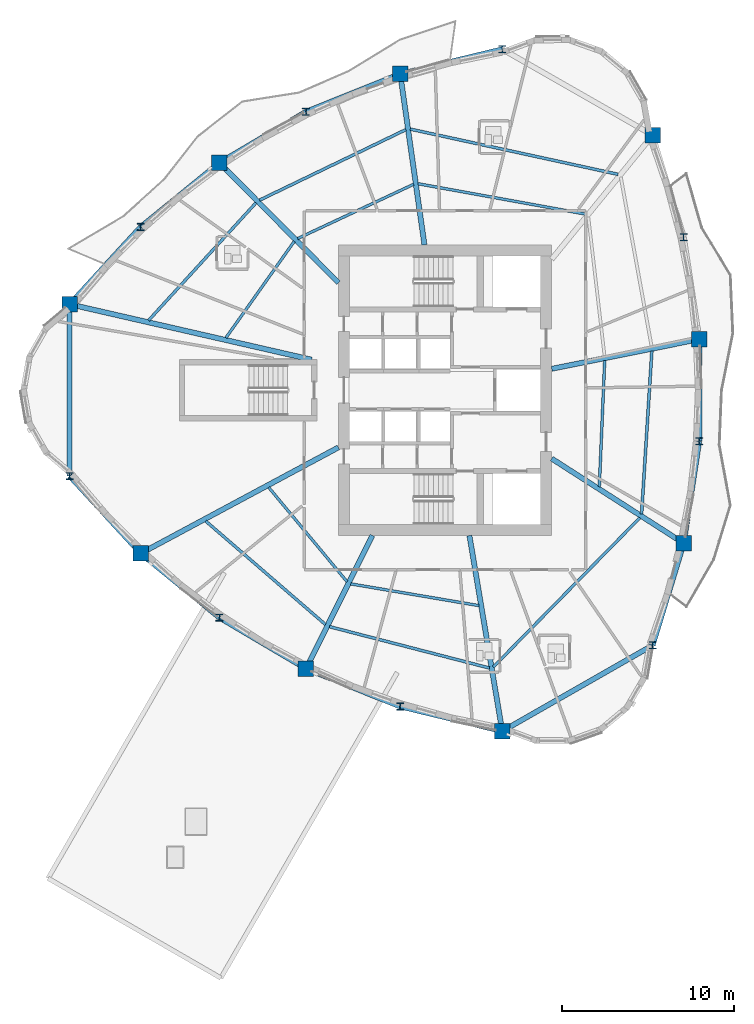
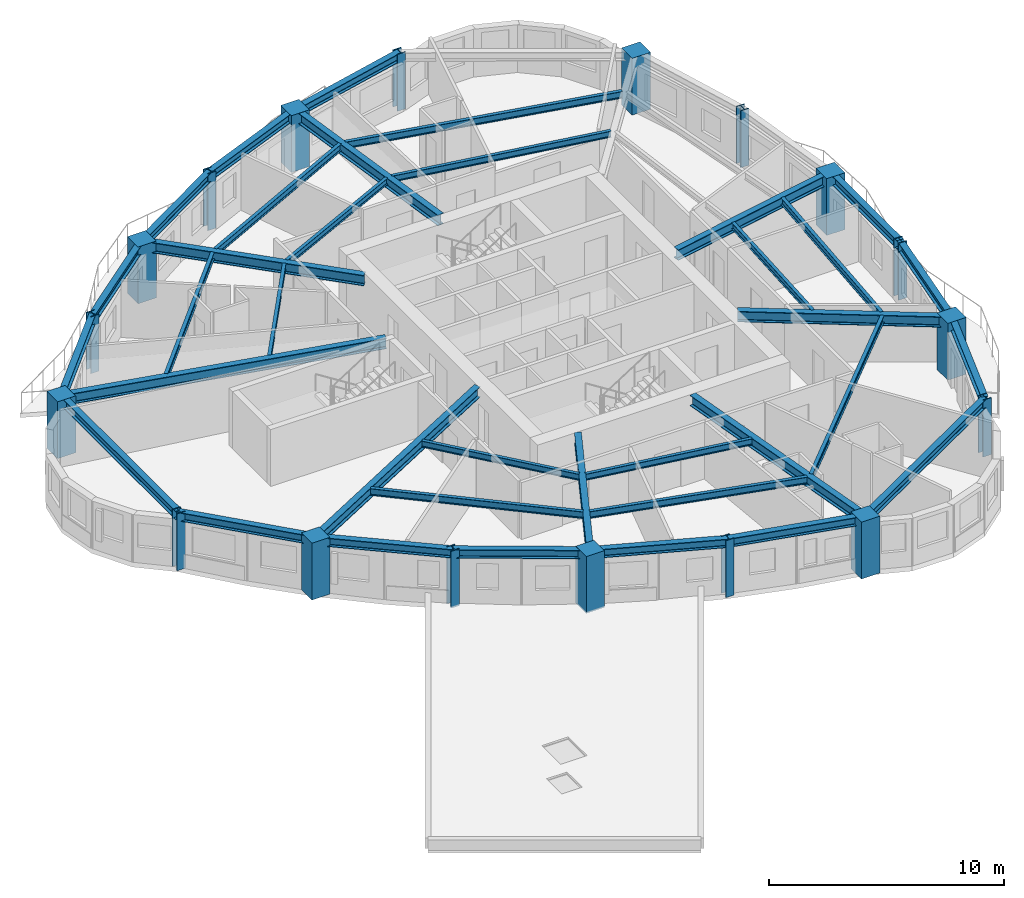
# One storey, part 1 of 14: 36 beams, 18 columns.
"""IFC4 building model written with IfcOpenShell, lengths in metres."""

import ifcopenshell
import ifcopenshell.guid

model = None  # the IFC model being written
_history = None  # IfcOwnerHistory: only IFC2X3 demands one
_inside = {}  # id of a spatial element -> (the spatial element, [elements in it])
_under = {}  # id of a project, library or spatial element -> (it, [spatial elements below it])
_declared = {}  # id of a project -> (the project, [libraries it declares])
_typed = {}  # id of a type object -> (the type object, [elements of that type])
_made_of = {}  # id of a material, layer set ... -> (it, [elements and type objects made of it])


def new_model(schema):
    """Start an empty IFC model of exactly this schema.

    Asked for "IFC4X3", IfcOpenShell would pick the latest addendum, in which some entities
    have other attributes; the version numbers below select the first issue.
    IFC2X3 requires an IfcOwnerHistory on every rooted entity: one is made here for all.
    """
    global model, _history
    if schema == "IFC4X3":
        model = ifcopenshell.file(schema_version=(4, 3, 0, 0))
    else:
        model = ifcopenshell.file(schema=schema)
    _inside.clear()
    _under.clear()
    _declared.clear()
    _typed.clear()
    _made_of.clear()
    _history = None
    if model.schema == "IFC2X3":
        org = make("IfcOrganization", Name="unknown")
        user = make(
            "IfcPersonAndOrganization",
            ThePerson=make("IfcPerson", FamilyName="unknown"),
            TheOrganization=org,
        )
        app = make(
            "IfcApplication",
            ApplicationDeveloper=org,
            Version="unknown",
            ApplicationFullName="unknown",
            ApplicationIdentifier="unknown",
        )
        _history = make(
            "IfcOwnerHistory",
            OwningUser=user,
            OwningApplication=app,
            ChangeAction="ADDED",
            CreationDate=0,
        )
    return model


def make(cls, **values):
    """One entity of the class cls with the attributes given. An attribute that is None is left unset."""
    return model.create_entity(
        cls, **{name: value for name, value in values.items() if value is not None}
    )


def rooted(cls, **values):
    """An entity with a GlobalId (a new one), such as an element, a storey or a relation."""
    return make(cls, GlobalId=ifcopenshell.guid.new(), OwnerHistory=_history, **values)


def si_unit(unit_type, name, prefix=None):
    """IfcSIUnit, for example si_unit("LENGTHUNIT", "METRE", prefix="MILLI")."""
    return make("IfcSIUnit", UnitType=unit_type, Prefix=prefix, Name=name)


def assignment(units):
    """IfcUnitAssignment: the units of a project."""
    return None if units is None else make("IfcUnitAssignment", Units=units)


def point(xyz):
    """IfcCartesianPoint."""
    return None if xyz is None else make("IfcCartesianPoint", Coordinates=xyz)


def direction(xyz):
    """IfcDirection."""
    return None if xyz is None else make("IfcDirection", DirectionRatios=xyz)


def frame(location, z_axis=None, x_axis=None):
    """IfcAxis2Placement3D, a coordinate frame: its origin and axes. An axis left out is left unset."""
    return make(
        "IfcAxis2Placement3D",
        Location=point(location),
        Axis=direction(z_axis),
        RefDirection=direction(x_axis),
    )


def frame_2d(location, x_axis=None):
    """IfcAxis2Placement2D, a coordinate frame in the plane: its origin and x axis."""
    return make(
        "IfcAxis2Placement2D", Location=point(location), RefDirection=direction(x_axis)
    )


def origin():
    """The frame at (0, 0, 0) with its axes left unset."""
    return frame((0.0, 0.0, 0.0))


def origin_2d():
    """The frame at (0, 0) in the plane with its x axis left unset."""
    return frame_2d((0.0, 0.0))


def place(relative_to, where):
    """IfcLocalPlacement: puts the frame where relative to a parent placement (None: the world)."""
    return make(
        "IfcLocalPlacement", PlacementRelTo=relative_to, RelativePlacement=where
    )


def context(
    kind, dimensions, precision=None, world=None, true_north=None, identifier=None
):
    """IfcGeometricRepresentationContext, for example the 3D "Model" context."""
    return make(
        "IfcGeometricRepresentationContext",
        ContextIdentifier=identifier,
        ContextType=kind,
        CoordinateSpaceDimension=dimensions,
        Precision=precision,
        WorldCoordinateSystem=world,
        TrueNorth=true_north,
    )


def subcontext(parent, identifier, kind, view, scale=None):
    """IfcGeometricRepresentationSubContext, for example "Body" below "Model"."""
    return make(
        "IfcGeometricRepresentationSubContext",
        ContextIdentifier=identifier,
        ContextType=kind,
        ParentContext=parent,
        TargetScale=scale,
        TargetView=view,
    )


def project(units=None, contexts=None):
    """IfcProject with its units and contexts."""
    return rooted(
        "IfcProject",
        Name="project",
        RepresentationContexts=contexts,
        UnitsInContext=assignment(units),
    )


def spatial(cls, under=None, at=None, **own):
    """A site, building, storey or space (cls), placed at a placement, below another one or the project."""
    s = rooted(cls, ObjectPlacement=at, **own)
    if under is not None:
        _under.setdefault(under.id(), (under, []))[1].append(s)
    return s


def profile(cls, at=None, kind="AREA", **sizes):
    """A parametric profile (cls). Its sizes go by their IFC names, for example OverallWidth=200.0."""
    return make(cls, ProfileType=kind, Position=at, **sizes)


def rectangle(**sizes):
    """IfcRectangleProfileDef."""
    return profile("IfcRectangleProfileDef", **sizes)


def i_section(**sizes):
    """IfcIShapeProfileDef."""
    return profile("IfcIShapeProfileDef", **sizes)


def extrude(swept, where, along, depth):
    """IfcExtrudedAreaSolid: the profile swept, set in the frame where, extruded along a direction by depth."""
    return make(
        "IfcExtrudedAreaSolid",
        SweptArea=swept,
        Position=where,
        ExtrudedDirection=direction(along),
        Depth=depth,
    )


def shape(context_of_items, identifier, shape_type, items):
    """IfcShapeRepresentation: the items that make up one representation, for example the "Body"."""
    return make(
        "IfcShapeRepresentation",
        ContextOfItems=context_of_items,
        RepresentationIdentifier=identifier,
        RepresentationType=shape_type,
        Items=items,
    )


def source(mapping_origin, context_of_items, identifier, shape_type, items):
    """IfcRepresentationMap: a shape defined once, which mapped items show again and again."""
    return make(
        "IfcRepresentationMap",
        MappingOrigin=mapping_origin,
        MappedRepresentation=shape(context_of_items, identifier, shape_type, items),
    )


def transform(
    local_origin,
    x_axis=None,
    y_axis=None,
    z_axis=None,
    scale=None,
    scale2=None,
    scale3=None,
    uniform=True,
):
    """IfcCartesianTransformationOperator3D, or its non-uniform kind. x_axis, y_axis, z_axis: its Axis1, 2, 3."""
    if uniform:
        return make(
            "IfcCartesianTransformationOperator3D",
            Axis1=direction(x_axis),
            Axis2=direction(y_axis),
            LocalOrigin=point(local_origin),
            Scale=scale,
            Axis3=direction(z_axis),
        )
    return make(
        "IfcCartesianTransformationOperator3DnonUniform",
        Axis1=direction(x_axis),
        Axis2=direction(y_axis),
        LocalOrigin=point(local_origin),
        Scale=scale,
        Axis3=direction(z_axis),
        Scale2=scale2,
        Scale3=scale3,
    )


def mapped(mapping_source, mapping_target):
    """IfcMappedItem: shows the shape of a source again, moved by a transform."""
    return make(
        "IfcMappedItem", MappingSource=mapping_source, MappingTarget=mapping_target
    )


def material(Name=None, Category=None):
    """IfcMaterial."""
    return make("IfcMaterial", Name=Name, Category=Category)


def material_profile(
    of_material, cross_section, Name=None, Category=None, Priority=None
):
    """IfcMaterialProfile: a cross section and its material."""
    return make(
        "IfcMaterialProfile",
        Name=Name,
        Material=of_material,
        Profile=cross_section,
        Priority=Priority,
        Category=Category,
    )


def profile_set(profiles, Name=None, composite=None):
    """IfcMaterialProfileSet."""
    return make(
        "IfcMaterialProfileSet",
        Name=Name,
        MaterialProfiles=profiles,
        CompositeProfile=composite,
    )


def made_of(thing, what):
    """Note that an element or type object is made of a material, layer set ...; save() writes the relation."""
    if what is not None:
        _made_of.setdefault(what.id(), (what, []))[1].append(thing)
    return thing


def type_object(cls, material=None, **own):
    """A type object (cls), such as IfcWallType, which elements share."""
    return made_of(rooted(cls, **own), material)


def element(
    cls,
    number,
    at=None,
    inside=None,
    cuts=None,
    type_object=None,
    material=None,
    context=None,
    identifier="Body",
    shape_type=None,
    held_by="IfcProductDefinitionShape",
    body=None,
    shapes=None,
    **own,
):
    """One element of the class cls, such as IfcWall. Its Tag is "e" and its number.

    at: its placement. inside: the storey or other place that contains it. cuts: it is an
    opening in that element (IfcRelVoidsElement). A single representation is given by context,
    identifier, shape_type and body (its items); several are given by shapes. held_by: the class
    of the entity that holds the representations. save() writes the other relations.
    """
    e = rooted(cls, Tag="e%d" % number, ObjectPlacement=at, **own)
    if body is not None:
        shapes = [shape(context, identifier, shape_type, body)]
    if shapes is not None:
        e.Representation = make(held_by, Representations=shapes)
    if inside is not None:
        _inside.setdefault(inside.id(), (inside, []))[1].append(e)
    if cuts is not None:
        rooted(
            "IfcRelVoidsElement", RelatingBuildingElement=cuts, RelatedOpeningElement=e
        )
    if type_object is not None:
        _typed.setdefault(type_object.id(), (type_object, []))[1].append(e)
    return made_of(e, material)


def aggregate(whole, parts):
    """IfcRelAggregates: a whole, such as a stair, and the parts it consists of."""
    return rooted("IfcRelAggregates", RelatingObject=whole, RelatedObjects=parts)


def save(model, path):
    """Write the relations noted so far, then the file.

    IfcRelAggregates (storeys below a building ...), IfcRelContainedInSpatialStructure (elements
    in a storey), IfcRelDefinesByType, IfcRelAssociatesMaterial and IfcRelDeclares: one each for
    every whole, place, type object, material and project.
    """
    for whole, parts in _under.values():
        aggregate(whole, parts)
    for where, things in _inside.values():
        rooted(
            "IfcRelContainedInSpatialStructure",
            RelatedElements=things,
            RelatingStructure=where,
        )
    for kind, things in _typed.values():
        rooted("IfcRelDefinesByType", RelatedObjects=things, RelatingType=kind)
    for what, things in _made_of.values():
        rooted("IfcRelAssociatesMaterial", RelatedObjects=things, RelatingMaterial=what)
    for by, libraries in _declared.values():
        rooted("IfcRelDeclares", RelatingContext=by, RelatedDefinitions=libraries)
    model.write(path)


model = new_model("IFC4")

# Units and contexts
model_context = context("Model", 3, precision=1e-05, world=origin(), true_north=direction((0.0, 1.0)))
body_context = subcontext(model_context, "Body", "Model", "MODEL_VIEW")
ifc_project = project(units=[si_unit("LENGTHUNIT", "METRE"), si_unit("AREAUNIT", "SQUARE_METRE"), si_unit("VOLUMEUNIT", "CUBIC_METRE"), si_unit("PLANEANGLEUNIT", "RADIAN"), si_unit("MASSUNIT", "GRAM", prefix="KILO")], contexts=[model_context])

# Site, building, storey
site_placement = place(None, origin())
site = spatial("IfcSite", under=ifc_project, at=site_placement, CompositionType="ELEMENT")
building_placement = place(site_placement, origin())
building = spatial("IfcBuilding", under=site, at=building_placement, Name="Qafzar Sky-Pleat Residences", CompositionType="ELEMENT")
storey_placement = place(building_placement, frame((0.0, 0.0, 118.39990234375)))
storey = spatial("IfcBuildingStorey", under=building, at=storey_placement, Name="L35", CompositionType="ELEMENT", Elevation=118.39990234375)

# Columns
ifc_material_1 = material(Name="Concrete C60/75", Category="concrete")
ifc_material_profile_1 = material_profile(ifc_material_1, rectangle(XDim=0.89990234375, YDim=0.89990234375, at=origin_2d()), Name="RC 900x900")
ifc_profile_set_1 = profile_set([ifc_material_profile_1], Name="Concrete C60/75")
column_type_1 = type_object("IfcColumnType", Name="COL-RC-900", PredefinedType="COLUMN", material=ifc_profile_set_1)
shared_shape_1 = source(origin(), body_context, "Body", "SweptSolid", [
    extrude(rectangle(XDim=0.89990234375, YDim=0.89990234375, at=origin_2d()), origin(), (0.0, 0.0, 1.0), 2.9501953125),
])
for number, where, z_axis, x_axis, name in (
    (1, (8.52880859375, 30.99609375, 0.0), (0.0, 0.0, 1.0), (1.0, 0.0, 0.0), "L35 Perimeter Mega Column 1"),
    (2, (12.65673828125, 16.50927734375, 0.0), (0.0, 0.0, 1.0), (1.0, 0.0, 0.0), "L35 Perimeter Mega Column 3"),
    (3, (22.26513671875, 9.813720703125, 0.0), (0.0, 0.0, 1.0), (1.0, 0.0, 0.0), "L35 Perimeter Mega Column 5"),
    (4, (33.6767578125, 6.17626953125, 0.0), (0.0, 0.0, 1.0), (1.0, 0.0, 0.0), "L35 Perimeter Mega Column 7"),
    (5, (44.2255859375, 17.103515625, 0.0), (0.0, 0.0, 1.0), (1.0, 0.0, 0.0), "L35 Perimeter Mega Column 9"),
    (6, (45.127197265625, 28.965576171875, 0.0), (0.0, 0.0, 1.0), (1.0, 0.0, 0.0), "L35 Perimeter Mega Column 11"),
    (7, (42.422607421875, 40.82763671875, 0.0), (0.0, 0.0, 1.0), (1.0, 0.0, 0.0), "L35 Perimeter Mega Column 13"),
    (8, (27.74560546875, 44.38720703125, 0.0), (0.0, 0.0, 1.0), (1.0, 0.0, 0.0), "L35 Perimeter Mega Column 15"),
    (9, (17.235595703125, 39.220703125, 0.0), (0.0, 0.0, 1.0), (1.0, 0.0, 0.0), "L35 Perimeter Mega Column 17"),
):
    element("IfcColumn", number, at=place(storey_placement, frame(where, z_axis=z_axis, x_axis=x_axis)), inside=storey, type_object=column_type_1, Name=name, PredefinedType="COLUMN", context=body_context, shape_type="MappedRepresentation", body=[
        mapped(shared_shape_1, transform((0.0, 0.0, 0.0), x_axis=(1.0, 0.0, 0.0), y_axis=(0.0, 1.0, 0.0), z_axis=(0.0, 0.0, 1.0), scale=1.0)),
    ])
ifc_material_2 = material(Name="Steel S460", Category="steel")
ifc_material_profile_2 = material_profile(ifc_material_2, i_section(OverallWidth=0.406005859375, OverallDepth=0.416015625, WebThickness=0.027099609375, FlangeThickness=0.0439453125, FilletRadius=0.014892578125, at=origin_2d()), Name="HD 400x382")
ifc_profile_set_2 = profile_set([ifc_material_profile_2], Name="Steel S460")
column_type_2 = type_object("IfcColumnType", Name="COL-STL-HD382", PredefinedType="PILASTER", material=ifc_profile_set_2)
shared_shape_2 = source(origin(), body_context, "Body", "SweptSolid", [
    extrude(i_section(OverallWidth=0.406005859375, OverallDepth=0.416015625, WebThickness=0.027099609375, FlangeThickness=0.0439453125, FilletRadius=0.014892578125, at=origin_2d()), origin(), (0.0, 0.0, 1.0), 2.9501953125),
])
for number, where, z_axis, x_axis, name in (
    (10, (8.52880859375, 21.00390625, 0.0), (0.0, 0.0, 1.0), (1.0, 0.0, 0.0), "L35 Perimeter Mega Column 2"),
    (11, (17.235595703125, 12.779296875, 0.0), (0.0, 0.0, 1.0), (1.0, 0.0, 0.0), "L35 Perimeter Mega Column 4"),
    (12, (27.74560546875, 7.61279296875, 0.0), (0.0, 0.0, 1.0), (1.0, 0.0, 0.0), "L35 Perimeter Mega Column 6"),
    (13, (42.422607421875, 11.17236328125, 0.0), (0.0, 0.0, 1.0), (1.0, 0.0, 0.0), "L35 Perimeter Mega Column 8"),
    (14, (45.127197265625, 23.034423828125, 0.0), (0.0, 0.0, 1.0), (1.0, 0.0, 0.0), "L35 Perimeter Mega Column 10"),
    (15, (44.2255859375, 34.896484375, 0.0), (0.0, 0.0, 1.0), (1.0, 0.0, 0.0), "L35 Perimeter Mega Column 12"),
    (16, (33.6767578125, 45.82373046875, 0.0), (0.0, 0.0, 1.0), (1.0, 0.0, 0.0), "L35 Perimeter Mega Column 14"),
    (17, (22.26513671875, 42.186279296875, 0.0), (0.0, 0.0, 1.0), (1.0, 0.0, 0.0), "L35 Perimeter Mega Column 16"),
    (18, (12.65673828125, 35.49072265625, 0.0), (0.0, 0.0, 1.0), (1.0, 0.0, 0.0), "L35 Perimeter Mega Column 18"),
):
    element("IfcColumn", number, at=place(storey_placement, frame(where, z_axis=z_axis, x_axis=x_axis)), inside=storey, type_object=column_type_2, Name=name, PredefinedType="PILASTER", context=body_context, shape_type="MappedRepresentation", body=[
        mapped(shared_shape_2, transform((0.0, 0.0, 0.0), x_axis=(1.0, 0.0, 0.0), y_axis=(0.0, 1.0, 0.0), z_axis=(0.0, 0.0, 1.0), scale=1.0)),
    ])

# Beams
ifc_material_3 = material(Name="Steel S355", Category="steel")
ifc_material_profile_3 = material_profile(ifc_material_3, i_section(OverallWidth=0.300048828125, OverallDepth=0.449951171875, WebThickness=0.013916015625, FlangeThickness=0.02587890625, FilletRadius=0.027099609375, at=origin_2d()), Name="HEB 450")
ifc_profile_set_3 = profile_set([ifc_material_profile_3], Name="Steel S355")
beam_type_1 = type_object("IfcBeamType", Name="BM-SPAN-HEB450", PredefinedType="SPANDREL", material=ifc_profile_set_3)
shared_shape_3 = source(origin(), body_context, "Body", "SweptSolid", [
    extrude(i_section(OverallWidth=0.300048828125, OverallDepth=0.449951171875, WebThickness=0.013916015625, FlangeThickness=0.02587890625, FilletRadius=0.027099609375, at=origin_2d()), origin(), (0.0, 0.0, 1.0), 9.9921875),
])
beam_1_placement = place(storey_placement, frame((8.52880859375, 30.99609375, 2.72314453125), z_axis=(0.0, -1.0, 0.0), x_axis=(1.0, 0.0, 0.0)))
element("IfcBeam", 19, at=beam_1_placement, inside=storey, type_object=beam_type_1, Name="L35 Perimeter Spandrel Beam 1", PredefinedType="SPANDREL", context=body_context, shape_type="MappedRepresentation", body=[
    mapped(shared_shape_3, transform((0.0, 0.0, 0.0), x_axis=(1.0, 0.0, 0.0), y_axis=(0.0, 1.0, 0.0), z_axis=(0.0, 0.0, 1.0), scale=1.0)),
])
shared_shape_4 = source(origin(), body_context, "Body", "SweptSolid", [
    extrude(i_section(OverallWidth=0.300048828125, OverallDepth=0.449951171875, WebThickness=0.013916015625, FlangeThickness=0.02587890625, FilletRadius=0.027099609375, at=origin_2d()), origin(), (0.0, 0.0, 1.0), 6.1025390625),
])
for number, where, z_axis, x_axis, name in (
    (20, (8.52880859375, 21.00390625, 2.72314453125), (0.676423601397, -0.736512804691, 0.0), (0.736512804691, 0.676423601397, 0.0), "L35 Perimeter Spandrel Beam 2"),
    (21, (27.74560546875, 7.61279296875, 2.72314453125), (0.971900047669, -0.235393919506, 0.0), (0.235393919506, 0.971900047669, 0.0), "L35 Perimeter Spandrel Beam 6"),
    (22, (33.6767578125, 45.82373046875, 2.72314453125), (-0.971900047669, -0.235393919506, 0.0), (0.235393919506, -0.971900047669, 0.0), "L35 Perimeter Spandrel Beam 14"),
    (23, (12.65673828125, 35.49072265625, 2.72314453125), (-0.676423601397, -0.736512804691, 0.0), (0.736512804691, -0.676423601397, 0.0), "L35 Perimeter Spandrel Beam 18"),
):
    element("IfcBeam", number, at=place(storey_placement, frame(where, z_axis=z_axis, x_axis=x_axis)), inside=storey, type_object=beam_type_1, Name=name, PredefinedType="SPANDREL", context=body_context, shape_type="MappedRepresentation", body=[
        mapped(shared_shape_4, transform((0.0, 0.0, 0.0), x_axis=(1.0, 0.0, 0.0), y_axis=(0.0, 1.0, 0.0), z_axis=(0.0, 0.0, 1.0), scale=1.0)),
    ])
shared_shape_5 = source(origin(), body_context, "Body", "SweptSolid", [
    extrude(i_section(OverallWidth=0.300048828125, OverallDepth=0.449951171875, WebThickness=0.013916015625, FlangeThickness=0.02587890625, FilletRadius=0.027099609375, at=origin_2d()), origin(), (0.0, 0.0, 1.0), 5.90576171875),
])
for number, where, z_axis, x_axis, name in (
    (24, (12.65673828125, 16.50927734375, 2.72314453125), (0.775312954576, -0.631577249801, 0.0), (0.631577249801, 0.775312954576, 0.0), "L35 Perimeter Spandrel Beam 3"),
    (25, (17.235595703125, 39.220703125, 2.72314453125), (-0.775312954576, -0.631577249801, 0.0), (0.631577249801, -0.775312954576, 0.0), "L35 Perimeter Spandrel Beam 17"),
):
    element("IfcBeam", number, at=place(storey_placement, frame(where, z_axis=z_axis, x_axis=x_axis)), inside=storey, type_object=beam_type_1, Name=name, PredefinedType="SPANDREL", context=body_context, shape_type="MappedRepresentation", body=[
        mapped(shared_shape_5, transform((0.0, 0.0, 0.0), x_axis=(1.0, 0.0, 0.0), y_axis=(0.0, 1.0, 0.0), z_axis=(0.0, 0.0, 1.0), scale=1.0)),
    ])
shared_shape_6 = source(origin(), body_context, "Body", "SweptSolid", [
    extrude(i_section(OverallWidth=0.300048828125, OverallDepth=0.449951171875, WebThickness=0.013916015625, FlangeThickness=0.02587890625, FilletRadius=0.027099609375, at=origin_2d()), origin(), (0.0, 0.0, 1.0), 5.838623046875),
])
for number, where, z_axis, x_axis, name in (
    (26, (17.235595703125, 12.779296875, 2.72314453125), (0.861408122247, -0.507913424637, 0.0), (0.507913424637, 0.861408122247, 0.0), "L35 Perimeter Spandrel Beam 4"),
    (27, (22.26513671875, 42.186279296875, 2.72314453125), (-0.861408122247, -0.507913424637, 0.0), (0.507913424637, -0.861408122247, 0.0), "L35 Perimeter Spandrel Beam 16"),
):
    element("IfcBeam", number, at=place(storey_placement, frame(where, z_axis=z_axis, x_axis=x_axis)), inside=storey, type_object=beam_type_1, Name=name, PredefinedType="SPANDREL", context=body_context, shape_type="MappedRepresentation", body=[
        mapped(shared_shape_6, transform((0.0, 0.0, 0.0), x_axis=(1.0, 0.0, 0.0), y_axis=(0.0, 1.0, 0.0), z_axis=(0.0, 0.0, 1.0), scale=1.0)),
    ])
shared_shape_7 = source(origin(), body_context, "Body", "SweptSolid", [
    extrude(i_section(OverallWidth=0.300048828125, OverallDepth=0.449951171875, WebThickness=0.013916015625, FlangeThickness=0.02587890625, FilletRadius=0.027099609375, at=origin_2d()), origin(), (0.0, 0.0, 1.0), 5.906005859375),
])
for number, where, z_axis, x_axis, name in (
    (28, (22.26513671875, 9.813720703125, 2.72314453125), (0.927965498351, -0.372666115807, 0.0), (0.372666115807, 0.927965498351, 0.0), "L35 Perimeter Spandrel Beam 5"),
    (29, (27.74560546875, 44.38720703125, 2.72314453125), (-0.927965498351, -0.372666115807, 0.0), (0.372666115807, -0.927965498351, 0.0), "L35 Perimeter Spandrel Beam 15"),
):
    element("IfcBeam", number, at=place(storey_placement, frame(where, z_axis=z_axis, x_axis=x_axis)), inside=storey, type_object=beam_type_1, Name=name, PredefinedType="SPANDREL", context=body_context, shape_type="MappedRepresentation", body=[
        mapped(shared_shape_7, transform((0.0, 0.0, 0.0), x_axis=(1.0, 0.0, 0.0), y_axis=(0.0, 1.0, 0.0), z_axis=(0.0, 0.0, 1.0), scale=1.0)),
    ])
shared_shape_8 = source(origin(), body_context, "Body", "SweptSolid", [
    extrude(i_section(OverallWidth=0.300048828125, OverallDepth=0.449951171875, WebThickness=0.013916015625, FlangeThickness=0.02587890625, FilletRadius=0.027099609375, at=origin_2d()), origin(), (0.0, 0.0, 1.0), 10.072265625),
])
beam_2_placement = place(storey_placement, frame((33.6767578125, 6.17626953125, 2.72314453125), z_axis=(0.868308765909, 0.496024079099, 0.0), x_axis=(-0.496024079099, 0.868308765909, 0.0)))
element("IfcBeam", 30, at=beam_2_placement, inside=storey, type_object=beam_type_1, Name="L35 Perimeter Spandrel Beam 7", PredefinedType="SPANDREL", context=body_context, shape_type="MappedRepresentation", body=[
    mapped(shared_shape_8, transform((0.0, 0.0, 0.0), x_axis=(1.0, 0.0, 0.0), y_axis=(0.0, 1.0, 0.0), z_axis=(0.0, 0.0, 1.0), scale=1.0)),
])
shared_shape_9 = source(origin(), body_context, "Body", "SweptSolid", [
    extrude(i_section(OverallWidth=0.300048828125, OverallDepth=0.449951171875, WebThickness=0.013916015625, FlangeThickness=0.02587890625, FilletRadius=0.027099609375, at=origin_2d()), origin(), (0.0, 0.0, 1.0), 6.19921875),
])
beam_3_placement = place(storey_placement, frame((42.422607421875, 11.17236328125, 2.72314453125), z_axis=(0.290843469518, 0.956770649758, 0.0), x_axis=(-0.956770649758, 0.290843469518, 0.0)))
element("IfcBeam", 31, at=beam_3_placement, inside=storey, type_object=beam_type_1, Name="L35 Perimeter Spandrel Beam 8", PredefinedType="SPANDREL", context=body_context, shape_type="MappedRepresentation", body=[
    mapped(shared_shape_9, transform((0.0, 0.0, 0.0), x_axis=(1.0, 0.0, 0.0), y_axis=(0.0, 1.0, 0.0), z_axis=(0.0, 0.0, 1.0), scale=1.0)),
])
shared_shape_10 = source(origin(), body_context, "Body", "SweptSolid", [
    extrude(i_section(OverallWidth=0.300048828125, OverallDepth=0.449951171875, WebThickness=0.013916015625, FlangeThickness=0.02587890625, FilletRadius=0.027099609375, at=origin_2d()), origin(), (0.0, 0.0, 1.0), 5.9990234375),
])
beam_4_placement = place(storey_placement, frame((44.2255859375, 17.103515625, 2.72314453125), z_axis=(0.150292404852, 0.988641589781, 0.0), x_axis=(-0.988641589781, 0.150292404852, 0.0)))
element("IfcBeam", 32, at=beam_4_placement, inside=storey, type_object=beam_type_1, Name="L35 Perimeter Spandrel Beam 9", PredefinedType="SPANDREL", context=body_context, shape_type="MappedRepresentation", body=[
    mapped(shared_shape_10, transform((0.0, 0.0, 0.0), x_axis=(1.0, 0.0, 0.0), y_axis=(0.0, 1.0, 0.0), z_axis=(0.0, 0.0, 1.0), scale=1.0)),
])
shared_shape_11 = source(origin(), body_context, "Body", "SweptSolid", [
    extrude(i_section(OverallWidth=0.300048828125, OverallDepth=0.449951171875, WebThickness=0.013916015625, FlangeThickness=0.02587890625, FilletRadius=0.027099609375, at=origin_2d()), origin(), (0.0, 0.0, 1.0), 5.93115234375),
])
beam_5_placement = place(storey_placement, frame((45.127197265625, 23.034423828125, 2.72314453125), z_axis=(0.0, 1.0, 0.0), x_axis=(-1.0, 0.0, 0.0)))
element("IfcBeam", 33, at=beam_5_placement, inside=storey, type_object=beam_type_1, Name="L35 Perimeter Spandrel Beam 10", PredefinedType="SPANDREL", context=body_context, shape_type="MappedRepresentation", body=[
    mapped(shared_shape_11, transform((0.0, 0.0, 0.0), x_axis=(1.0, 0.0, 0.0), y_axis=(0.0, 1.0, 0.0), z_axis=(0.0, 0.0, 1.0), scale=1.0)),
])
ifc_material_profile_4 = material_profile(ifc_material_3, i_section(OverallWidth=0.300048828125, OverallDepth=0.550048828125, WebThickness=0.014892578125, FlangeThickness=0.029052734375, FilletRadius=0.027099609375, at=origin_2d()), Name="HEB 550")
ifc_profile_set_4 = profile_set([ifc_material_profile_4], Name="Steel S355")
beam_type_2 = type_object("IfcBeamType", Name="BM-GIRD-HEB550", PredefinedType="BEAM", material=ifc_profile_set_4)
shared_shape_12 = source(origin(), body_context, "Body", "SweptSolid", [
    extrude(i_section(OverallWidth=0.300048828125, OverallDepth=0.550048828125, WebThickness=0.014892578125, FlangeThickness=0.029052734375, FilletRadius=0.027099609375, at=origin_2d()), origin(), (0.0, 0.0, 1.0), 14.4326171875),
])
beam_6_placement = place(storey_placement, frame((8.52880859375, 30.99609375, 2.673095703125), z_axis=(0.974775500226, -0.223187643384, 0.0), x_axis=(0.223187643384, 0.974775500226, 0.0)))
element("IfcBeam", 34, at=beam_6_placement, inside=storey, type_object=beam_type_2, Name="L35 Radial Floor Girder 1", PredefinedType="BEAM", context=body_context, shape_type="MappedRepresentation", body=[
    mapped(shared_shape_12, transform((0.0, 0.0, 0.0), x_axis=(1.0, 0.0, 0.0), y_axis=(0.0, 1.0, 0.0), z_axis=(0.0, 0.0, 1.0), scale=1.0)),
])
shared_shape_13 = source(origin(), body_context, "Body", "SweptSolid", [
    extrude(i_section(OverallWidth=0.300048828125, OverallDepth=0.550048828125, WebThickness=0.014892578125, FlangeThickness=0.029052734375, FilletRadius=0.027099609375, at=origin_2d()), origin(), (0.0, 0.0, 1.0), 13.042236328125),
])
beam_7_placement = place(storey_placement, frame((12.65673828125, 16.50927734375, 2.673095703125), z_axis=(0.881224933999, 0.472697171241, 0.0), x_axis=(-0.472697171241, 0.881224933999, 0.0)))
element("IfcBeam", 35, at=beam_7_placement, inside=storey, type_object=beam_type_2, Name="L35 Radial Floor Girder 3", PredefinedType="BEAM", context=body_context, shape_type="MappedRepresentation", body=[
    mapped(shared_shape_13, transform((0.0, 0.0, 0.0), x_axis=(1.0, 0.0, 0.0), y_axis=(0.0, 1.0, 0.0), z_axis=(0.0, 0.0, 1.0), scale=1.0)),
])
shared_shape_14 = source(origin(), body_context, "Body", "SweptSolid", [
    extrude(i_section(OverallWidth=0.300048828125, OverallDepth=0.550048828125, WebThickness=0.014892578125, FlangeThickness=0.029052734375, FilletRadius=0.027099609375, at=origin_2d()), origin(), (0.0, 0.0, 1.0), 8.647705078125),
])
beam_8_placement = place(storey_placement, frame((22.26513671875, 9.813720703125, 2.673095703125), z_axis=(0.446852192557, 0.894607801222, 0.0), x_axis=(-0.894607801222, 0.446852192557, 0.0)))
element("IfcBeam", 36, at=beam_8_placement, inside=storey, type_object=beam_type_2, Name="L35 Radial Floor Girder 5", PredefinedType="BEAM", context=body_context, shape_type="MappedRepresentation", body=[
    mapped(shared_shape_14, transform((0.0, 0.0, 0.0), x_axis=(1.0, 0.0, 0.0), y_axis=(0.0, 1.0, 0.0), z_axis=(0.0, 0.0, 1.0), scale=1.0)),
])
shared_shape_15 = source(origin(), body_context, "Body", "SweptSolid", [
    extrude(i_section(OverallWidth=0.300048828125, OverallDepth=0.550048828125, WebThickness=0.014892578125, FlangeThickness=0.029052734375, FilletRadius=0.027099609375, at=origin_2d()), origin(), (0.0, 0.0, 1.0), 11.53271484375),
])
beam_9_placement = place(storey_placement, frame((33.6767578125, 6.17626953125, 2.673095703125), z_axis=(-0.165500827547, 0.98620965118, 0.0), x_axis=(-0.98620965118, -0.165500827547, 0.0)))
element("IfcBeam", 37, at=beam_9_placement, inside=storey, type_object=beam_type_2, Name="L35 Radial Floor Girder 7", PredefinedType="BEAM", context=body_context, shape_type="MappedRepresentation", body=[
    mapped(shared_shape_15, transform((0.0, 0.0, 0.0), x_axis=(1.0, 0.0, 0.0), y_axis=(0.0, 1.0, 0.0), z_axis=(0.0, 0.0, 1.0), scale=1.0)),
])
shared_shape_16 = source(origin(), body_context, "Body", "SweptSolid", [
    extrude(i_section(OverallWidth=0.300048828125, OverallDepth=0.550048828125, WebThickness=0.014892578125, FlangeThickness=0.029052734375, FilletRadius=0.027099609375, at=origin_2d()), origin(), (0.0, 0.0, 1.0), 9.11767578125),
])
beam_10_placement = place(storey_placement, frame((44.2255859375, 17.103515625, 2.673095703125), z_axis=(-0.841832969143, 0.539738132861, 0.0), x_axis=(-0.539738132861, -0.841832969143, 0.0)))
element("IfcBeam", 38, at=beam_10_placement, inside=storey, type_object=beam_type_2, Name="L35 Radial Floor Girder 9", PredefinedType="BEAM", context=body_context, shape_type="MappedRepresentation", body=[
    mapped(shared_shape_16, transform((0.0, 0.0, 0.0), x_axis=(1.0, 0.0, 0.0), y_axis=(0.0, 1.0, 0.0), z_axis=(0.0, 0.0, 1.0), scale=1.0)),
])
shared_shape_17 = source(origin(), body_context, "Body", "SweptSolid", [
    extrude(i_section(OverallWidth=0.300048828125, OverallDepth=0.550048828125, WebThickness=0.014892578125, FlangeThickness=0.029052734375, FilletRadius=0.027099609375, at=origin_2d()), origin(), (0.0, 0.0, 1.0), 8.748291015625),
])
beam_11_placement = place(storey_placement, frame((45.127197265625, 28.965576171875, 2.673095703125), z_axis=(-0.980448429266, -0.196776211851, 0.0), x_axis=(0.196776211851, -0.980448429266, 0.0)))
element("IfcBeam", 39, at=beam_11_placement, inside=storey, type_object=beam_type_2, Name="L35 Radial Floor Girder 11", PredefinedType="BEAM", context=body_context, shape_type="MappedRepresentation", body=[
    mapped(shared_shape_17, transform((0.0, 0.0, 0.0), x_axis=(1.0, 0.0, 0.0), y_axis=(0.0, 1.0, 0.0), z_axis=(0.0, 0.0, 1.0), scale=1.0)),
])
shared_shape_18 = source(origin(), body_context, "Body", "SweptSolid", [
    extrude(i_section(OverallWidth=0.300048828125, OverallDepth=0.550048828125, WebThickness=0.014892578125, FlangeThickness=0.029052734375, FilletRadius=0.027099609375, at=origin_2d()), origin(), (0.0, 0.0, 1.0), 10.036376953125),
])
beam_12_placement = place(storey_placement, frame((27.74560546875, 44.38720703125, 2.673095703125), z_axis=(0.14023611981, -0.99011808927, 0.0), x_axis=(0.99011808927, 0.14023611981, 0.0)))
element("IfcBeam", 40, at=beam_12_placement, inside=storey, type_object=beam_type_2, Name="L35 Radial Floor Girder 15", PredefinedType="BEAM", context=body_context, shape_type="MappedRepresentation", body=[
    mapped(shared_shape_18, transform((0.0, 0.0, 0.0), x_axis=(1.0, 0.0, 0.0), y_axis=(0.0, 1.0, 0.0), z_axis=(0.0, 0.0, 1.0), scale=1.0)),
])
shared_shape_19 = source(origin(), body_context, "Body", "SweptSolid", [
    extrude(i_section(OverallWidth=0.300048828125, OverallDepth=0.550048828125, WebThickness=0.014892578125, FlangeThickness=0.029052734375, FilletRadius=0.027099609375, at=origin_2d()), origin(), (0.0, 0.0, 1.0), 9.818115234375),
])
beam_13_placement = place(storey_placement, frame((17.235595703125, 39.220703125, 2.673095703125), z_axis=(0.704241362588, -0.709960634979, 0.0), x_axis=(0.709960634979, 0.704241362588, 0.0)))
element("IfcBeam", 41, at=beam_13_placement, inside=storey, type_object=beam_type_2, Name="L35 Radial Floor Girder 17", PredefinedType="BEAM", context=body_context, shape_type="MappedRepresentation", body=[
    mapped(shared_shape_19, transform((0.0, 0.0, 0.0), x_axis=(1.0, 0.0, 0.0), y_axis=(0.0, 1.0, 0.0), z_axis=(0.0, 0.0, 1.0), scale=1.0)),
])
ifc_material_profile_5 = material_profile(ifc_material_3, i_section(OverallWidth=0.169921875, OverallDepth=0.360107421875, WebThickness=0.008056640625, FlangeThickness=0.0126953125, FilletRadius=0.01806640625, at=origin_2d()), Name="IPE 360")
ifc_profile_set_5 = profile_set([ifc_material_profile_5], Name="Steel S355")
beam_type_3 = type_object("IfcBeamType", Name="BM-JST-IPE360", PredefinedType="JOIST", material=ifc_profile_set_5)
shared_shape_20 = source(origin(), body_context, "Body", "SweptSolid", [
    extrude(i_section(OverallWidth=0.169921875, OverallDepth=0.360107421875, WebThickness=0.008056640625, FlangeThickness=0.0126953125, FilletRadius=0.01806640625, at=origin_2d()), origin(), (0.0, 0.0, 1.0), 9.201904296875),
])
beam_14_placement = place(storey_placement, frame((16.436767578125, 18.393798828125, 2.76806640625), z_axis=(0.756677427014, -0.653788399596, 0.0), x_axis=(0.653788399596, 0.756677427014, 0.0)))
element("IfcBeam", 42, at=beam_14_placement, inside=storey, type_object=beam_type_3, Name="L35 Outer Secondary Floor Joist 2", PredefinedType="JOIST", context=body_context, shape_type="MappedRepresentation", body=[
    mapped(shared_shape_20, transform((0.0, 0.0, 0.0), x_axis=(1.0, 0.0, 0.0), y_axis=(0.0, 1.0, 0.0), z_axis=(0.0, 0.0, 1.0), scale=1.0)),
])
shared_shape_21 = source(origin(), body_context, "Body", "SweptSolid", [
    extrude(i_section(OverallWidth=0.169921875, OverallDepth=0.360107421875, WebThickness=0.008056640625, FlangeThickness=0.0126953125, FilletRadius=0.01806640625, at=origin_2d()), origin(), (0.0, 0.0, 1.0), 9.609130859375),
])
beam_15_placement = place(storey_placement, frame((23.63232421875, 12.255615234375, 2.76806640625), z_axis=(0.968145318769, -0.250388980881, 0.0), x_axis=(0.250388980881, 0.968145318769, 0.0)))
element("IfcBeam", 43, at=beam_15_placement, inside=storey, type_object=beam_type_3, Name="L35 Outer Secondary Floor Joist 3", PredefinedType="JOIST", context=body_context, shape_type="MappedRepresentation", body=[
    mapped(shared_shape_21, transform((0.0, 0.0, 0.0), x_axis=(1.0, 0.0, 0.0), y_axis=(0.0, 1.0, 0.0), z_axis=(0.0, 0.0, 1.0), scale=1.0)),
])
shared_shape_22 = source(origin(), body_context, "Body", "SweptSolid", [
    extrude(i_section(OverallWidth=0.169921875, OverallDepth=0.360107421875, WebThickness=0.008056640625, FlangeThickness=0.0126953125, FilletRadius=0.01806640625, at=origin_2d()), origin(), (0.0, 0.0, 1.0), 12.1513671875),
])
beam_16_placement = place(storey_placement, frame((33.160400390625, 9.912109375, 2.76806640625), z_axis=(0.700688839555, 0.713466993016, 0.0), x_axis=(-0.713466993016, 0.700688839555, 0.0)))
element("IfcBeam", 44, at=beam_16_placement, inside=storey, type_object=beam_type_3, Name="L35 Outer Secondary Floor Joist 4", PredefinedType="JOIST", context=body_context, shape_type="MappedRepresentation", body=[
    mapped(shared_shape_22, transform((0.0, 0.0, 0.0), x_axis=(1.0, 0.0, 0.0), y_axis=(0.0, 1.0, 0.0), z_axis=(0.0, 0.0, 1.0), scale=1.0)),
])
shared_shape_23 = source(origin(), body_context, "Body", "SweptSolid", [
    extrude(i_section(OverallWidth=0.169921875, OverallDepth=0.360107421875, WebThickness=0.008056640625, FlangeThickness=0.0126953125, FilletRadius=0.01806640625, at=origin_2d()), origin(), (0.0, 0.0, 1.0), 9.48583984375),
])
beam_17_placement = place(storey_placement, frame((41.77783203125, 18.81298828125, 2.76806640625), z_axis=(0.062825331931, 0.998024537608, 0.0), x_axis=(-0.998024537608, 0.062825331931, 0.0)))
element("IfcBeam", 45, at=beam_17_placement, inside=storey, type_object=beam_type_3, Name="L35 Outer Secondary Floor Joist 5", PredefinedType="JOIST", context=body_context, shape_type="MappedRepresentation", body=[
    mapped(shared_shape_23, transform((0.0, 0.0, 0.0), x_axis=(1.0, 0.0, 0.0), y_axis=(0.0, 1.0, 0.0), z_axis=(0.0, 0.0, 1.0), scale=1.0)),
])
shared_shape_24 = source(origin(), body_context, "Body", "SweptSolid", [
    extrude(i_section(OverallWidth=0.169921875, OverallDepth=0.360107421875, WebThickness=0.008056640625, FlangeThickness=0.0126953125, FilletRadius=0.01806640625, at=origin_2d()), origin(), (0.0, 0.0, 1.0), 12.366455078125),
])
beam_18_placement = place(storey_placement, frame((40.411376953125, 38.54833984375, 2.76806640625), z_axis=(-0.977117170905, 0.212701749694, 0.0), x_axis=(-0.212701749694, -0.977117170905, 0.0)))
element("IfcBeam", 46, at=beam_18_placement, inside=storey, type_object=beam_type_3, Name="L35 Outer Secondary Floor Joist 7", PredefinedType="JOIST", context=body_context, shape_type="MappedRepresentation", body=[
    mapped(shared_shape_24, transform((0.0, 0.0, 0.0), x_axis=(1.0, 0.0, 0.0), y_axis=(0.0, 1.0, 0.0), z_axis=(0.0, 0.0, 1.0), scale=1.0)),
])
shared_shape_25 = source(origin(), body_context, "Body", "SweptSolid", [
    extrude(i_section(OverallWidth=0.169921875, OverallDepth=0.360107421875, WebThickness=0.008056640625, FlangeThickness=0.0126953125, FilletRadius=0.01806640625, at=origin_2d()), origin(), (0.0, 0.0, 1.0), 9.441162109375),
])
beam_19_placement = place(storey_placement, frame((28.07421875, 41.148681640625, 2.76806640625), z_axis=(-0.900788551734, -0.43425797064, 0.0), x_axis=(0.43425797064, -0.900788551734, 0.0)))
element("IfcBeam", 47, at=beam_19_placement, inside=storey, type_object=beam_type_3, Name="L35 Outer Secondary Floor Joist 8", PredefinedType="JOIST", context=body_context, shape_type="MappedRepresentation", body=[
    mapped(shared_shape_25, transform((0.0, 0.0, 0.0), x_axis=(1.0, 0.0, 0.0), y_axis=(0.0, 1.0, 0.0), z_axis=(0.0, 0.0, 1.0), scale=1.0)),
])
shared_shape_26 = source(origin(), body_context, "Body", "SweptSolid", [
    extrude(i_section(OverallWidth=0.169921875, OverallDepth=0.360107421875, WebThickness=0.008056640625, FlangeThickness=0.0126953125, FilletRadius=0.01806640625, at=origin_2d()), origin(), (0.0, 0.0, 1.0), 9.244873046875),
])
beam_20_placement = place(storey_placement, frame((19.357177734375, 36.890625, 2.76806640625), z_axis=(-0.674471594724, -0.738300797717, 0.0), x_axis=(0.738300797717, -0.674471594724, 0.0)))
element("IfcBeam", 48, at=beam_20_placement, inside=storey, type_object=beam_type_3, Name="L35 Outer Secondary Floor Joist 9", PredefinedType="JOIST", context=body_context, shape_type="MappedRepresentation", body=[
    mapped(shared_shape_26, transform((0.0, 0.0, 0.0), x_axis=(1.0, 0.0, 0.0), y_axis=(0.0, 1.0, 0.0), z_axis=(0.0, 0.0, 1.0), scale=1.0)),
])
ifc_material_profile_6 = material_profile(ifc_material_3, i_section(OverallWidth=0.159912109375, OverallDepth=0.330078125, WebThickness=0.007568359375, FlangeThickness=0.011474609375, FilletRadius=0.01806640625, at=origin_2d()), Name="IPE 330")
ifc_profile_set_6 = profile_set([ifc_material_profile_6], Name="Steel S355")
beam_type_4 = type_object("IfcBeamType", Name="BM-JST-IPE330", PredefinedType="JOIST", material=ifc_profile_set_6)
shared_shape_27 = source(origin(), body_context, "Body", "SweptSolid", [
    extrude(i_section(OverallWidth=0.159912109375, OverallDepth=0.330078125, WebThickness=0.007568359375, FlangeThickness=0.011474609375, FilletRadius=0.01806640625, at=origin_2d()), origin(), (0.0, 0.0, 1.0), 7.126708984375),
])
beam_21_placement = place(storey_placement, frame((20.0986328125, 20.35107421875, 2.783203125), z_axis=(0.638940175477, -0.769256428092, 0.0), x_axis=(0.769256428092, 0.638940175477, 0.0)))
element("IfcBeam", 49, at=beam_21_placement, inside=storey, type_object=beam_type_4, Name="L35 Inner Secondary Floor Joist 2", PredefinedType="JOIST", context=body_context, shape_type="MappedRepresentation", body=[
    mapped(shared_shape_27, transform((0.0, 0.0, 0.0), x_axis=(1.0, 0.0, 0.0), y_axis=(0.0, 1.0, 0.0), z_axis=(0.0, 0.0, 1.0), scale=1.0)),
])
shared_shape_28 = source(origin(), body_context, "Body", "SweptSolid", [
    extrude(i_section(OverallWidth=0.159912109375, OverallDepth=0.330078125, WebThickness=0.007568359375, FlangeThickness=0.011474609375, FilletRadius=0.01806640625, at=origin_2d()), origin(), (0.0, 0.0, 1.0), 7.55712890625),
])
beam_22_placement = place(storey_placement, frame((24.871337890625, 14.7421875, 2.783203125), z_axis=(0.985909493648, -0.167279617213, 0.0), x_axis=(0.167279617213, 0.985909493648, 0.0)))
element("IfcBeam", 50, at=beam_22_placement, inside=storey, type_object=beam_type_4, Name="L35 Inner Secondary Floor Joist 3", PredefinedType="JOIST", context=body_context, shape_type="MappedRepresentation", body=[
    mapped(shared_shape_28, transform((0.0, 0.0, 0.0), x_axis=(1.0, 0.0, 0.0), y_axis=(0.0, 1.0, 0.0), z_axis=(0.0, 0.0, 1.0), scale=1.0)),
])
shared_shape_29 = source(origin(), body_context, "Body", "SweptSolid", [
    extrude(i_section(OverallWidth=0.159912109375, OverallDepth=0.330078125, WebThickness=0.007568359375, FlangeThickness=0.011474609375, FilletRadius=0.01806640625, at=origin_2d()), origin(), (0.0, 0.0, 1.0), 7.34765625),
])
beam_23_placement = place(storey_placement, frame((39.31884765625, 20.387939453125, 2.783203125), z_axis=(0.042629740771, 0.999090939405, 0.0), x_axis=(-0.999090939405, 0.042629740771, 0.0)))
element("IfcBeam", 51, at=beam_23_placement, inside=storey, type_object=beam_type_4, Name="L35 Inner Secondary Floor Joist 5", PredefinedType="JOIST", context=body_context, shape_type="MappedRepresentation", body=[
    mapped(shared_shape_29, transform((0.0, 0.0, 0.0), x_axis=(1.0, 0.0, 0.0), y_axis=(0.0, 1.0, 0.0), z_axis=(0.0, 0.0, 1.0), scale=1.0)),
])
shared_shape_30 = source(origin(), body_context, "Body", "SweptSolid", [
    extrude(i_section(OverallWidth=0.159912109375, OverallDepth=0.330078125, WebThickness=0.007568359375, FlangeThickness=0.011474609375, FilletRadius=0.01806640625, at=origin_2d()), origin(), (0.0, 0.0, 1.0), 9.910888671875),
])
beam_24_placement = place(storey_placement, frame((38.53125, 36.235595703125, 2.783203125), z_axis=(-0.983963186448, 0.178371656145, 0.0), x_axis=(-0.178371656145, -0.983963186448, 0.0)))
element("IfcBeam", 52, at=beam_24_placement, inside=storey, type_object=beam_type_4, Name="L35 Inner Secondary Floor Joist 7", PredefinedType="JOIST", context=body_context, shape_type="MappedRepresentation", body=[
    mapped(shared_shape_30, transform((0.0, 0.0, 0.0), x_axis=(1.0, 0.0, 0.0), y_axis=(0.0, 1.0, 0.0), z_axis=(0.0, 0.0, 1.0), scale=1.0)),
])
shared_shape_31 = source(origin(), body_context, "Body", "SweptSolid", [
    extrude(i_section(OverallWidth=0.159912109375, OverallDepth=0.330078125, WebThickness=0.007568359375, FlangeThickness=0.011474609375, FilletRadius=0.01806640625, at=origin_2d()), origin(), (0.0, 0.0, 1.0), 7.442138671875),
])
beam_25_placement = place(storey_placement, frame((28.524169921875, 37.97021484375, 2.783203125), z_axis=(-0.905794718836, -0.423716800858, 0.0), x_axis=(0.423716800858, -0.905794718836, 0.0)))
element("IfcBeam", 53, at=beam_25_placement, inside=storey, type_object=beam_type_4, Name="L35 Inner Secondary Floor Joist 8", PredefinedType="JOIST", context=body_context, shape_type="MappedRepresentation", body=[
    mapped(shared_shape_31, transform((0.0, 0.0, 0.0), x_axis=(1.0, 0.0, 0.0), y_axis=(0.0, 1.0, 0.0), z_axis=(0.0, 0.0, 1.0), scale=1.0)),
])
shared_shape_32 = source(origin(), body_context, "Body", "SweptSolid", [
    extrude(i_section(OverallWidth=0.159912109375, OverallDepth=0.330078125, WebThickness=0.007568359375, FlangeThickness=0.011474609375, FilletRadius=0.01806640625, at=origin_2d()), origin(), (0.0, 0.0, 1.0), 6.869140625),
])
beam_26_placement = place(storey_placement, frame((21.582763671875, 34.6494140625, 2.783203125), z_axis=(-0.578218490068, -0.81588196312, 0.0), x_axis=(0.81588196312, -0.578218490068, 0.0)))
element("IfcBeam", 54, at=beam_26_placement, inside=storey, type_object=beam_type_4, Name="L35 Inner Secondary Floor Joist 9", PredefinedType="JOIST", context=body_context, shape_type="MappedRepresentation", body=[
    mapped(shared_shape_32, transform((0.0, 0.0, 0.0), x_axis=(1.0, 0.0, 0.0), y_axis=(0.0, 1.0, 0.0), z_axis=(0.0, 0.0, 1.0), scale=1.0)),
])

save(model, "model.ifc")
